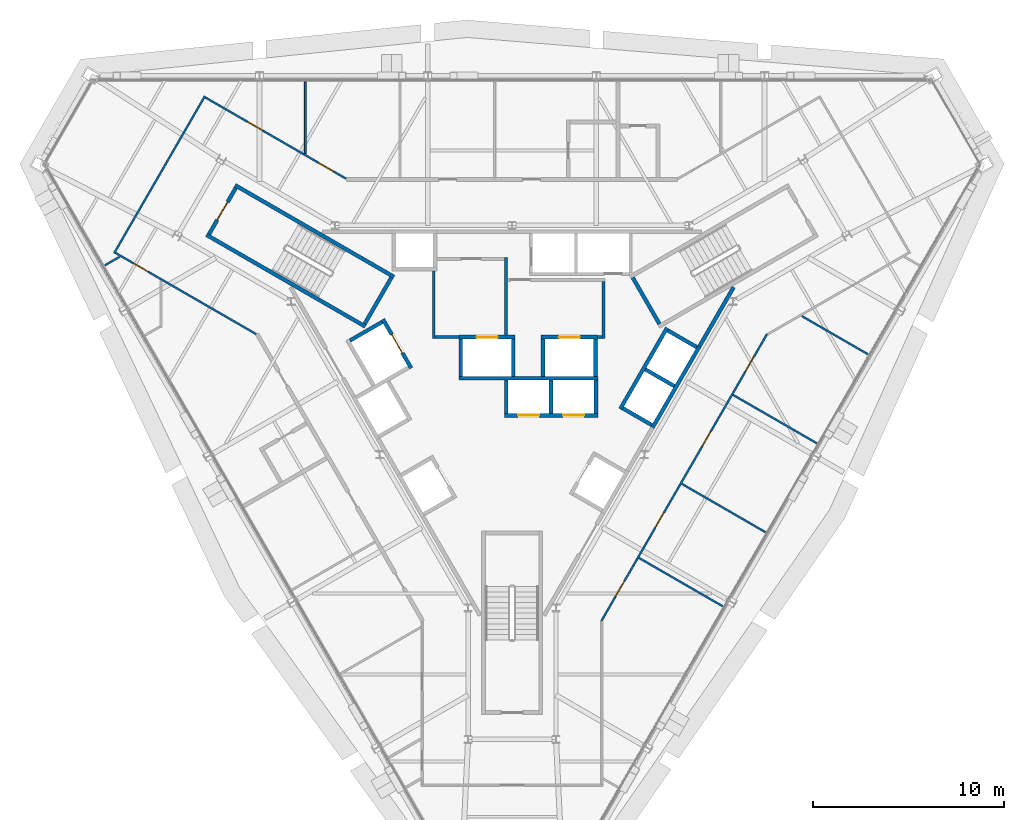
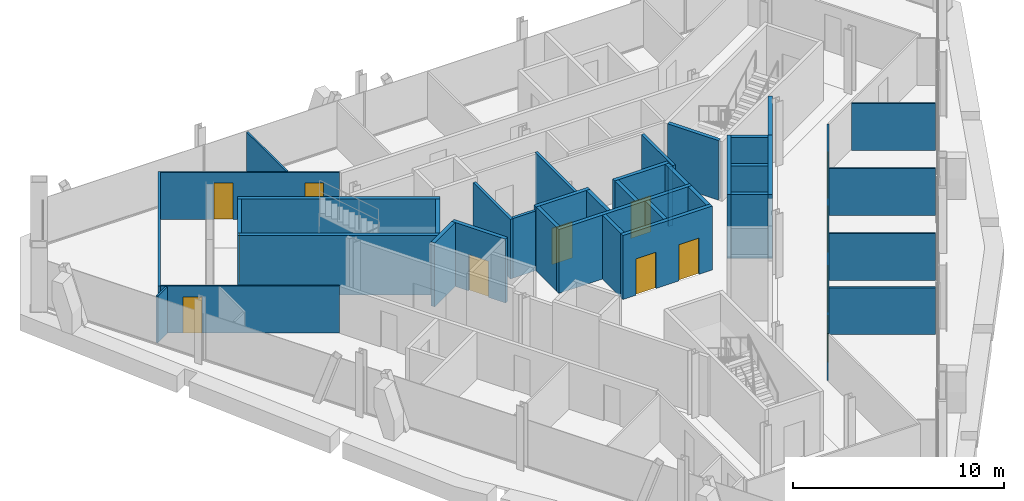
# One storey, part 10 of 14: 39 walls, 13 doors, 13 openings.
"""IFC4 building model written with IfcOpenShell, lengths in metres."""

from ifc_helpers import new_model, si_unit, direction, frame, frame_2d, origin, place, context, subcontext, project, spatial, rectangle, extrude, material, layer, layer_set, type_object, element, fill, save


model = new_model("IFC4")

# Units and contexts
model_context = context("Model", 3, precision=1e-05, world=origin(), true_north=direction((0.0, 1.0)))
body_context = subcontext(model_context, "Body", "Model", "MODEL_VIEW")
ifc_project = project(units=[si_unit("LENGTHUNIT", "METRE"), si_unit("AREAUNIT", "SQUARE_METRE"), si_unit("VOLUMEUNIT", "CUBIC_METRE"), si_unit("PLANEANGLEUNIT", "RADIAN"), si_unit("MASSUNIT", "GRAM", prefix="KILO")], contexts=[model_context])

# Site, building, storey
site_placement = place(None, origin())
site = spatial("IfcSite", under=ifc_project, at=site_placement, CompositionType="ELEMENT")
building_placement = place(site_placement, origin())
building = spatial("IfcBuilding", under=site, at=building_placement, Name="Verrane Prism Tower", CompositionType="ELEMENT")
storey_placement = place(building_placement, frame((0.0, 0.0, 224.89990234375)))
storey = spatial("IfcBuildingStorey", under=building, at=storey_placement, Name="L56", CompositionType="ELEMENT", Elevation=224.89990234375)

# Walls
ifc_material_1 = material(Name="Gypsum board partition", Category="other")
ifc_layer_1 = layer(ifc_material_1, 0.199951171875)
ifc_layer_set_1 = layer_set([ifc_layer_1], Name="CW-200 core boundary wall 2 h")
wall_type_1 = type_object("IfcWallType", Name="CW-200 core boundary wall 2 h", PredefinedType="PARTITIONING", material=ifc_layer_set_1)
wall_1_placement = place(storey_placement, frame((9.802978515625, 1.657958984375, 0.0), z_axis=(0.0, 0.0, 1.0), x_axis=(0.499943114462, 0.866058244174, 0.0)))
element("IfcWall", 1, at=wall_1_placement, inside=storey, type_object=wall_type_1, Name="Core boundary wall CW3-008", PredefinedType="PARTITIONING", context=body_context, shape_type="SweptSolid", body=[
    extrude(rectangle(XDim=3.57568359375, YDim=0.199951171875, at=frame_2d((1.787841796875, 0.0))), origin(), (0.0, 0.0, 1.0), 3.4501953125),
])
ifc_material_2 = material(Name="Concrete C40/50", Category="concrete")
ifc_layer_2 = layer(ifc_material_2, 0.199951171875)
ifc_layer_set_2 = layer_set([ifc_layer_2], Name="CW-200 stair core wall concrete C40/50 3 h")
wall_type_2 = type_object("IfcWallType", Name="CW-200 stair core wall concrete C40/50 3 h", PredefinedType="PARTITIONING", material=ifc_layer_set_2)
wall_2_placement = place(storey_placement, frame((7.71484375, 2.837646484375, 0.0), z_axis=(0.0, 0.0, 1.0), x_axis=(-0.500049511043, 0.865996816683, 0.0)))
element("IfcWall", 2, at=wall_2_placement, inside=storey, type_object=wall_type_2, Name="Stair 1 enclosure wall", PredefinedType="PARTITIONING", context=body_context, shape_type="SweptSolid", body=[
    extrude(rectangle(XDim=2.800048828125, YDim=0.199951171875, at=frame_2d((1.39990234375, 0.0))), origin(), (0.0, 0.0, 1.0), 3.4501953125),
])

# Wall, opening, door
wall_3_placement = place(storey_placement, frame((-14.455322265625, 9.96240234375, 0.0), z_axis=(0.0, 0.0, 1.0), x_axis=(-0.500049511043, -0.865996816683, 0.0)))
wall_3 = element("IfcWall", 3, at=wall_3_placement, inside=storey, type_object=wall_type_2, Name="Stair 2 enclosure wall", PredefinedType="PARTITIONING", context=body_context, shape_type="SweptSolid", body=[
    extrude(rectangle(XDim=2.800048828125, YDim=0.199951171875, at=frame_2d((1.39990234375, 0.0))), origin(), (0.0, 0.0, 1.0), 3.4501953125),
])
opening_1_placement = place(wall_3_placement, frame((0.849853515625, 0.0, 0.0)))
opening_1 = element("IfcOpeningElement", 4, at=opening_1_placement, cuts=wall_3, Name="Opening D54501", PredefinedType="OPENING", context=body_context, shape_type="SweptSolid", body=[
    extrude(rectangle(XDim=1.10009765625, YDim=2.10009765625, at=frame_2d((0.550048828125, 1.050048828125))), frame((0.0, 0.10986328125, 0.0), z_axis=(0.0, -1.0, 0.0), x_axis=(1.0, 0.0, 0.0)), (0.0, 0.0, 1.0), 0.219970703125),
])
ifc_material_3 = material(Name="Timber veneered door leaf", Category="wood")
door_type_1 = type_object("IfcDoorType", Name="DR-1100x2100 FD90 single leaf stair", OperationType="NOTDEFINED", PredefinedType="DOOR", material=ifc_material_3)
door_1_placement = place(opening_1_placement, origin())
door_1 = element("IfcDoor", 5, at=door_1_placement, inside=storey, type_object=door_type_1, Name="Stair 2 door", OperationType="SINGLE_SWING_RIGHT", OverallHeight=2.10009765625, OverallWidth=1.10009765625, PredefinedType="DOOR", context=body_context, shape_type="SweptSolid", body=[
    extrude(rectangle(XDim=1.10009765625, YDim=2.10009765625, at=frame_2d((0.550048828125, 1.050048828125))), frame((0.0, 0.02490234375, 0.0), z_axis=(0.0, -1.0, 0.0), x_axis=(1.0, 0.0, 0.0)), (0.0, 0.0, 1.0), 0.050048828125),
])
fill(opening_1, door_1)

# Walls
for number, where, z_axis, x_axis, name in (
    (6, (-7.67822265625, 2.700927734375, 0.0), (0.0, 0.0, 1.0), (-0.866019993635, 0.500009370536, 0.0), "Stair 2 enclosure wall"),
    (7, (-6.17822265625, 5.299072265625, 0.0), (0.0, 0.0, 1.0), (-0.866019993635, 0.500009370536, 0.0), "Stair 2 enclosure wall"),
):
    element("IfcWall", number, at=place(storey_placement, frame(where, z_axis=z_axis, x_axis=x_axis)), inside=storey, type_object=wall_type_2, Name=name, PredefinedType="PARTITIONING", context=body_context, shape_type="SweptSolid", body=[
        extrude(rectangle(XDim=9.599853515625, YDim=0.199951171875, at=frame_2d((4.7998046875, 0.0))), origin(), (0.0, 0.0, 1.0), 3.4501953125),
    ])
wall_4_placement = place(storey_placement, frame((-6.314697265625, 5.262451171875, 0.0), z_axis=(0.0, 0.0, 1.0), x_axis=(-0.500049511043, -0.865996816683, 0.0)))
element("IfcWall", 8, at=wall_4_placement, inside=storey, type_object=wall_type_2, Name="Stair 2 enclosure wall", PredefinedType="PARTITIONING", context=body_context, shape_type="SweptSolid", body=[
    extrude(rectangle(XDim=2.800048828125, YDim=0.199951171875, at=frame_2d((1.39990234375, 0.0))), origin(), (0.0, 0.0, 1.0), 3.4501953125),
])

# Wall, openings, doors
ifc_material_4 = material(Name="Gypsum board shaft wall assembly", Category="other")
ifc_layer_3 = layer(ifc_material_4, 0.199951171875)
ifc_layer_set_3 = layer_set([ifc_layer_3], Name="HW-200 lift shaft wall 2 h")
wall_type_3 = type_object("IfcWallType", Name="HW-200 lift shaft wall 2 h", PredefinedType="PARTITIONING", material=ifc_layer_set_3)
wall_5_placement = place(storey_placement, frame((-0.405029296875, -1.949951171875, 0.0), z_axis=(0.0, 0.0, 1.0), x_axis=(1.0, 0.0, 0.0)))
wall_5 = element("IfcWall", 9, at=wall_5_placement, inside=storey, type_object=wall_type_3, Name="Lift shaft wall", PredefinedType="PARTITIONING", context=body_context, shape_type="SweptSolid", body=[
    extrude(rectangle(XDim=4.900146484375, YDim=0.199951171875, at=frame_2d((2.4501953125, 0.0))), origin(), (0.0, 0.0, 1.0), 3.7001953125),
])
opening_2_placement = place(wall_5_placement, frame((0.72509765625, 0.0, 0.0)))
opening_2 = element("IfcOpeningElement", 10, at=opening_2_placement, cuts=wall_5, Name="Opening D54503", PredefinedType="OPENING", context=body_context, shape_type="SweptSolid", body=[
    extrude(rectangle(XDim=1.10009765625, YDim=2.10009765625, at=frame_2d((0.550048828125, 1.050048828125))), frame((0.0, 0.10986328125, 0.0), z_axis=(0.0, -1.0, 0.0), x_axis=(1.0, 0.0, 0.0)), (0.0, 0.0, 1.0), 0.219970703125),
])
opening_3_placement = place(wall_5_placement, frame((3.074951171875, 0.0, 0.0)))
opening_3 = element("IfcOpeningElement", 11, at=opening_3_placement, cuts=wall_5, Name="Opening D54504", PredefinedType="OPENING", context=body_context, shape_type="SweptSolid", body=[
    extrude(rectangle(XDim=1.10009765625, YDim=2.10009765625, at=frame_2d((0.550048828125, 1.050048828125))), frame((0.0, 0.10986328125, 0.0), z_axis=(0.0, -1.0, 0.0), x_axis=(1.0, 0.0, 0.0)), (0.0, 0.0, 1.0), 0.219970703125),
])
ifc_material_5 = material(Name="Stainless steel sliding landing door", Category="steel")
door_type_2 = type_object("IfcDoorType", Name="LD-1100x2100 lift landing door FD90 sliding", OperationType="NOTDEFINED", PredefinedType="DOOR", material=ifc_material_5)
door_2_placement = place(opening_2_placement, origin())
door_2 = element("IfcDoor", 12, at=door_2_placement, inside=storey, type_object=door_type_2, Name="Bank B lift 1 landing door", OperationType="SLIDING_TO_LEFT", OverallHeight=2.10009765625, OverallWidth=1.10009765625, PredefinedType="DOOR", context=body_context, shape_type="SweptSolid", body=[
    extrude(rectangle(XDim=1.10009765625, YDim=2.10009765625, at=frame_2d((0.550048828125, 1.050048828125))), frame((0.0, 0.02490234375, 0.0), z_axis=(0.0, -1.0, 0.0), x_axis=(1.0, 0.0, 0.0)), (0.0, 0.0, 1.0), 0.050048828125),
])
fill(opening_2, door_2)
door_3_placement = place(opening_3_placement, origin())
door_3 = element("IfcDoor", 13, at=door_3_placement, inside=storey, type_object=door_type_2, Name="Bank B lift 2 landing door", OperationType="SLIDING_TO_RIGHT", OverallHeight=2.10009765625, OverallWidth=1.10009765625, PredefinedType="DOOR", context=body_context, shape_type="SweptSolid", body=[
    extrude(rectangle(XDim=1.10009765625, YDim=2.10009765625, at=frame_2d((0.550048828125, 1.050048828125))), frame((0.0, 0.02490234375, 0.0), z_axis=(0.0, -1.0, 0.0), x_axis=(1.0, 0.0, 0.0)), (0.0, 0.0, 1.0), 0.050048828125),
])
fill(opening_3, door_3)

# Wall
wall_6_placement = place(storey_placement, frame((-2.784912109375, 0.0, 0.0), z_axis=(0.0, 0.0, 1.0), x_axis=(1.0, 0.0, 0.0)))
element("IfcWall", 14, at=wall_6_placement, inside=storey, type_object=wall_type_3, Name="Lift shaft wall", PredefinedType="PARTITIONING", context=body_context, shape_type="SweptSolid", body=[
    extrude(rectangle(XDim=7.280029296875, YDim=0.199951171875, at=frame_2d((3.64013671875, 0.0))), origin(), (0.0, 0.0, 1.0), 3.7001953125),
])

# Wall, opening, door
wall_7_placement = place(storey_placement, frame((-2.784912109375, 2.14990234375, 0.0), z_axis=(0.0, 0.0, 1.0), x_axis=(1.0, 0.0, 0.0)))
wall_7 = element("IfcWall", 15, at=wall_7_placement, inside=storey, type_object=wall_type_3, Name="Lift shaft wall", PredefinedType="PARTITIONING", context=body_context, shape_type="SweptSolid", body=[
    extrude(rectangle(XDim=2.949951171875, YDim=0.199951171875, at=frame_2d((1.47509765625, 0.0))), origin(), (0.0, 0.0, 1.0), 3.7001953125),
])
opening_4_placement = place(wall_7_placement, frame((0.925048828125, 0.0, 0.0)))
opening_4 = element("IfcOpeningElement", 16, at=opening_4_placement, cuts=wall_7, Name="Opening D54507", PredefinedType="OPENING", context=body_context, shape_type="SweptSolid", body=[
    extrude(rectangle(XDim=1.10009765625, YDim=2.10009765625, at=frame_2d((0.550048828125, 1.050048828125))), frame((0.0, 0.10986328125, 0.0), z_axis=(0.0, -1.0, 0.0), x_axis=(1.0, 0.0, 0.0)), (0.0, 0.0, 1.0), 0.219970703125),
])
door_4_placement = place(opening_4_placement, origin())
door_4 = element("IfcDoor", 17, at=door_4_placement, inside=storey, type_object=door_type_2, Name="Fire service lift 1 landing door", OperationType="SLIDING_TO_LEFT", OverallHeight=2.10009765625, OverallWidth=1.10009765625, PredefinedType="DOOR", context=body_context, shape_type="SweptSolid", body=[
    extrude(rectangle(XDim=1.10009765625, YDim=2.10009765625, at=frame_2d((0.550048828125, 1.050048828125))), frame((0.0, 0.02490234375, 0.0), z_axis=(0.0, -1.0, 0.0), x_axis=(1.0, 0.0, 0.0)), (0.0, 0.0, 1.0), 0.050048828125),
])
fill(opening_4, door_4)

wall_8_placement = place(storey_placement, frame((1.52490234375, 2.14990234375, 0.0), z_axis=(0.0, 0.0, 1.0), x_axis=(1.0, 0.0, 0.0)))
wall_8 = element("IfcWall", 18, at=wall_8_placement, inside=storey, type_object=wall_type_3, Name="Lift shaft wall", PredefinedType="PARTITIONING", context=body_context, shape_type="SweptSolid", body=[
    extrude(rectangle(XDim=2.9501953125, YDim=0.199951171875, at=frame_2d((1.47509765625, 0.0))), origin(), (0.0, 0.0, 1.0), 3.7001953125),
])
opening_5_placement = place(wall_8_placement, frame((0.925048828125, 0.0, 0.0)))
opening_5 = element("IfcOpeningElement", 19, at=opening_5_placement, cuts=wall_8, Name="Opening D54508", PredefinedType="OPENING", context=body_context, shape_type="SweptSolid", body=[
    extrude(rectangle(XDim=1.10009765625, YDim=2.10009765625, at=frame_2d((0.550048828125, 1.050048828125))), frame((0.0, 0.10986328125, 0.0), z_axis=(0.0, -1.0, 0.0), x_axis=(1.0, 0.0, 0.0)), (0.0, 0.0, 1.0), 0.219970703125),
])
door_5_placement = place(opening_5_placement, origin())
door_5 = element("IfcDoor", 20, at=door_5_placement, inside=storey, type_object=door_type_2, Name="Fire service lift 2 landing door", OperationType="SLIDING_TO_RIGHT", OverallHeight=2.10009765625, OverallWidth=1.10009765625, PredefinedType="DOOR", context=body_context, shape_type="SweptSolid", body=[
    extrude(rectangle(XDim=1.10009765625, YDim=2.10009765625, at=frame_2d((0.550048828125, 1.050048828125))), frame((0.0, 0.02490234375, 0.0), z_axis=(0.0, -1.0, 0.0), x_axis=(1.0, 0.0, 0.0)), (0.0, 0.0, 1.0), 0.050048828125),
])
fill(opening_5, door_5)

# Walls
wall_9_placement = place(storey_placement, frame((-8.48046875, 1.968505859375, 0.0), z_axis=(0.0, 0.0, 1.0), x_axis=(0.866000020948, 0.500043961785, 0.0)))
element("IfcWall", 21, at=wall_9_placement, inside=storey, type_object=wall_type_3, Name="Lift shaft wall", PredefinedType="PARTITIONING", context=body_context, shape_type="SweptSolid", body=[
    extrude(rectangle(XDim=1.949951171875, YDim=0.199951171875, at=frame_2d((0.97509765625, 0.0))), origin(), (0.0, 0.0, 1.0), 3.7001953125),
])
wall_10_placement = place(storey_placement, frame((7.351318359375, -2.587158203125, 0.0), z_axis=(0.0, 0.0, 1.0), x_axis=(0.500002801628, 0.866023786258, 0.0)))
element("IfcWall", 22, at=wall_10_placement, inside=storey, type_object=wall_type_3, Name="Lift shaft wall", PredefinedType="PARTITIONING", context=body_context, shape_type="SweptSolid", body=[
    extrude(rectangle(XDim=4.89990234375, YDim=0.199951171875, at=frame_2d((2.449951171875, 0.0))), origin(), (0.0, 0.0, 1.0), 3.7001953125),
])
wall_11_placement = place(storey_placement, frame((5.66259765625, -1.6123046875, 0.0), z_axis=(0.0, 0.0, 1.0), x_axis=(0.49998122708, 0.866036242063, 0.0)))
element("IfcWall", 23, at=wall_11_placement, inside=storey, type_object=wall_type_3, Name="Lift shaft wall", PredefinedType="PARTITIONING", context=body_context, shape_type="SweptSolid", body=[
    extrude(rectangle(XDim=4.900146484375, YDim=0.199951171875, at=frame_2d((2.4501953125, 0.0))), origin(), (0.0, 0.0, 1.0), 3.7001953125),
])
wall_12_placement = place(storey_placement, frame((4.39501953125, -1.85009765625, 0.0), z_axis=(0.0, 0.0, 1.0), x_axis=(0.0, 1.0, 0.0)))
element("IfcWall", 24, at=wall_12_placement, inside=storey, type_object=wall_type_3, Name="Lift shaft wall", PredefinedType="PARTITIONING", context=body_context, shape_type="SweptSolid", body=[
    extrude(rectangle(XDim=1.75, YDim=0.199951171875, at=frame_2d((0.875, 0.0))), origin(), (0.0, 0.0, 1.0), 3.7001953125),
])
wall_13_placement = place(storey_placement, frame((4.375, 0.10009765625, 0.0), z_axis=(0.0, 0.0, 1.0), x_axis=(0.0, 1.0, 0.0)))
element("IfcWall", 25, at=wall_13_placement, inside=storey, type_object=wall_type_3, Name="Lift shaft wall", PredefinedType="PARTITIONING", context=body_context, shape_type="SweptSolid", body=[
    extrude(rectangle(XDim=1.949951171875, YDim=0.199951171875, at=frame_2d((0.97509765625, 0.0))), origin(), (0.0, 0.0, 1.0), 3.7001953125),
])
wall_14_placement = place(storey_placement, frame((2.044921875, -1.85009765625, 0.0), z_axis=(0.0, 0.0, 1.0), x_axis=(0.0, 1.0, 0.0)))
element("IfcWall", 26, at=wall_14_placement, inside=storey, type_object=wall_type_3, Name="Lift shaft wall", PredefinedType="PARTITIONING", context=body_context, shape_type="SweptSolid", body=[
    extrude(rectangle(XDim=1.75, YDim=0.199951171875, at=frame_2d((0.875, 0.0))), origin(), (0.0, 0.0, 1.0), 3.7001953125),
])
for number, where, z_axis, x_axis, name in (
    (27, (1.625, 0.10009765625, 0.0), (0.0, 0.0, 1.0), (0.0, 1.0, 0.0), "Lift shaft wall"),
    (28, (0.06494140625, 0.10009765625, 0.0), (0.0, 0.0, 1.0), (0.0, 1.0, 0.0), "Lift shaft wall"),
):
    element("IfcWall", number, at=place(storey_placement, frame(where, z_axis=z_axis, x_axis=x_axis)), inside=storey, type_object=wall_type_3, Name=name, PredefinedType="PARTITIONING", context=body_context, shape_type="SweptSolid", body=[
        extrude(rectangle(XDim=1.949951171875, YDim=0.199951171875, at=frame_2d((0.97509765625, 0.0))), origin(), (0.0, 0.0, 1.0), 3.7001953125),
    ])
wall_15_placement = place(storey_placement, frame((-0.304931640625, -1.85009765625, 0.0), z_axis=(0.0, 0.0, 1.0), x_axis=(0.0, 1.0, 0.0)))
element("IfcWall", 29, at=wall_15_placement, inside=storey, type_object=wall_type_3, Name="Lift shaft wall", PredefinedType="PARTITIONING", context=body_context, shape_type="SweptSolid", body=[
    extrude(rectangle(XDim=1.75, YDim=0.199951171875, at=frame_2d((0.875, 0.0))), origin(), (0.0, 0.0, 1.0), 3.7001953125),
])
wall_16_placement = place(storey_placement, frame((-2.68505859375, 0.10009765625, 0.0), z_axis=(0.0, 0.0, 1.0), x_axis=(0.0, 1.0, 0.0)))
element("IfcWall", 30, at=wall_16_placement, inside=storey, type_object=wall_type_3, Name="Lift shaft wall", PredefinedType="PARTITIONING", context=body_context, shape_type="SweptSolid", body=[
    extrude(rectangle(XDim=1.949951171875, YDim=0.199951171875, at=frame_2d((0.97509765625, 0.0))), origin(), (0.0, 0.0, 1.0), 3.7001953125),
])

# Wall, opening, door
wall_17_placement = place(storey_placement, frame((-5.280029296875, 0.525390625, 0.0), z_axis=(0.0, 0.0, 1.0), x_axis=(-0.500037662692, 0.866003658127, 0.0)))
wall_17 = element("IfcWall", 31, at=wall_17_placement, inside=storey, type_object=wall_type_3, Name="Lift shaft wall", PredefinedType="PARTITIONING", context=body_context, shape_type="SweptSolid", body=[
    extrude(rectangle(XDim=2.949951171875, YDim=0.199951171875, at=frame_2d((1.47509765625, 0.0))), origin(), (0.0, 0.0, 1.0), 3.7001953125),
])
opening_6_placement = place(wall_17_placement, frame((0.925048828125, 0.0, 0.0)))
opening_6 = element("IfcOpeningElement", 32, at=opening_6_placement, cuts=wall_17, Name="Opening D54509", PredefinedType="OPENING", context=body_context, shape_type="SweptSolid", body=[
    extrude(rectangle(XDim=1.10009765625, YDim=2.10009765625, at=frame_2d((0.550048828125, 1.050048828125))), frame((0.0, 0.10986328125, 0.0), z_axis=(0.0, -1.0, 0.0), x_axis=(1.0, 0.0, 0.0)), (0.0, 0.0, 1.0), 0.219970703125),
])
door_6_placement = place(opening_6_placement, origin())
door_6 = element("IfcDoor", 33, at=door_6_placement, inside=storey, type_object=door_type_2, Name="Service lift 1 landing door", OperationType="SLIDING_TO_LEFT", OverallHeight=2.10009765625, OverallWidth=1.10009765625, PredefinedType="DOOR", context=body_context, shape_type="SweptSolid", body=[
    extrude(rectangle(XDim=1.10009765625, YDim=2.10009765625, at=frame_2d((0.550048828125, 1.050048828125))), frame((0.0, 0.02490234375, 0.0), z_axis=(0.0, -1.0, 0.0), x_axis=(1.0, 0.0, 0.0)), (0.0, 0.0, 1.0), 0.050048828125),
])
fill(opening_6, door_6)

# Walls
wall_18_placement = place(storey_placement, frame((9.66455078125, 1.61962890625, 0.0), z_axis=(0.0, 0.0, 1.0), x_axis=(-0.866002029911, 0.500040482552, 0.0)))
element("IfcWall", 34, at=wall_18_placement, inside=storey, type_object=wall_type_3, Name="Lift shaft wall", PredefinedType="PARTITIONING", context=body_context, shape_type="SweptSolid", body=[
    extrude(rectangle(XDim=1.749755859375, YDim=0.199951171875, at=frame_2d((0.875, 0.0))), origin(), (0.0, 0.0, 1.0), 3.7001953125),
])
for number, where, z_axis, x_axis, name in (
    (35, (8.48974609375, -0.41552734375, 0.0), (0.0, 0.0, 1.0), (-0.866036909293, 0.499980071345, 0.0), "Lift shaft wall"),
    (36, (7.314697265625, -2.45068359375, 0.0), (0.0, 0.0, 1.0), (-0.866036909293, 0.499980071345, 0.0), "Lift shaft wall"),
):
    element("IfcWall", number, at=place(storey_placement, frame(where, z_axis=z_axis, x_axis=x_axis)), inside=storey, type_object=wall_type_3, Name=name, PredefinedType="PARTITIONING", context=body_context, shape_type="SweptSolid", body=[
        extrude(rectangle(XDim=1.75, YDim=0.199951171875, at=frame_2d((0.875, 0.0))), origin(), (0.0, 0.0, 1.0), 3.7001953125),
    ])
ifc_material_6 = material(Name="Gypsum board partition", Category="other")
ifc_layer_4 = layer(ifc_material_6, 0.14990234375)
ifc_layer_set_4 = layer_set([ifc_layer_4], Name="LF-150 firefighting lobby wall 1 h")
wall_type_4 = type_object("IfcWallType", Name="LF-150 firefighting lobby wall 1 h", PredefinedType="PARTITIONING", material=ifc_layer_set_4)
wall_19_placement = place(storey_placement, frame((-4.10009765625, 2.0849609375, 0.0), z_axis=(0.0, 0.0, 1.0), x_axis=(0.0, 1.0, 0.0)))
element("IfcWall", 37, at=wall_19_placement, inside=storey, type_object=wall_type_4, Name="Firefighting lobby wall LF1-001", PredefinedType="PARTITIONING", context=body_context, shape_type="SweptSolid", body=[
    extrude(rectangle(XDim=3.52294921875, YDim=0.14990234375, at=frame_2d((1.761474609375, 0.0))), origin(), (0.0, 0.0, 1.0), 3.4501953125),
])
wall_20_placement = place(storey_placement, frame((-4.02490234375, 2.159912109375, 0.0), z_axis=(0.0, 0.0, 1.0), x_axis=(1.0, 0.0, 0.0)))
element("IfcWall", 38, at=wall_20_placement, inside=storey, type_object=wall_type_4, Name="Firefighting lobby wall LF1-002", PredefinedType="PARTITIONING", context=body_context, shape_type="SweptSolid", body=[
    extrude(rectangle(XDim=1.23779296875, YDim=0.14990234375, at=frame_2d((0.618896484375, 0.0))), origin(), (0.0, 0.0, 1.0), 3.4501953125),
])
wall_21_placement = place(storey_placement, frame((-0.320068359375, 2.251953125, 0.0), z_axis=(0.0, 0.0, 1.0), x_axis=(0.0, 1.0, 0.0)))
element("IfcWall", 39, at=wall_21_placement, inside=storey, type_object=wall_type_4, Name="Firefighting lobby wall LF1-004", PredefinedType="PARTITIONING", context=body_context, shape_type="SweptSolid", body=[
    extrude(rectangle(XDim=4.06298828125, YDim=0.14990234375, at=frame_2d((2.031494140625, 0.0))), origin(), (0.0, 0.0, 1.0), 3.4501953125),
])
wall_22_placement = place(storey_placement, frame((4.47705078125, 2.159912109375, 0.0), z_axis=(0.0, 0.0, 1.0), x_axis=(1.0, 0.0, 0.0)))
element("IfcWall", 40, at=wall_22_placement, inside=storey, type_object=wall_type_4, Name="Firefighting lobby wall LF1-006", PredefinedType="PARTITIONING", context=body_context, shape_type="SweptSolid", body=[
    extrude(rectangle(XDim=0.238037109375, YDim=0.14990234375, at=frame_2d((0.119140625, 0.0))), origin(), (0.0, 0.0, 1.0), 3.4501953125),
])
wall_23_placement = place(storey_placement, frame((4.7900390625, 2.0849609375, 0.0), z_axis=(0.0, 0.0, 1.0), x_axis=(0.0, 1.0, 0.0)))
element("IfcWall", 41, at=wall_23_placement, inside=storey, type_object=wall_type_4, Name="Firefighting lobby wall LF1-007", PredefinedType="PARTITIONING", context=body_context, shape_type="SweptSolid", body=[
    extrude(rectangle(XDim=2.97998046875, YDim=0.14990234375, at=frame_2d((1.489990234375, 0.0))), origin(), (0.0, 0.0, 1.0), 3.4501953125),
])
ifc_material_7 = material(Name="Gypsum board partition", Category="other")
ifc_layer_5 = layer(ifc_material_7, 0.10009765625)
ifc_layer_set_5 = layer_set([ifc_layer_5], Name="PW-100 room partition")
wall_type_5 = type_object("IfcWallType", Name="PW-100 room partition", PredefinedType="PARTITIONING", material=ifc_layer_set_5)
wall_24_placement = place(storey_placement, frame((-21.312744140625, 5.903076171875, 0.0), z_axis=(0.0, 0.0, 1.0), x_axis=(0.865952303503, 0.500126592033, 0.0)))
element("IfcWall", 42, at=wall_24_placement, inside=storey, type_object=wall_type_5, Name="Room partition 001", PredefinedType="PARTITIONING", context=body_context, shape_type="SweptSolid", body=[
    extrude(rectangle(XDim=0.888916015625, YDim=0.10009765625, at=frame_2d((0.4443359375, 0.0))), origin(), (0.0, 0.0, 1.0), 2.713134765625),
])
wall_25_placement = place(storey_placement, frame((-20.823974609375, 6.538818359375, 0.0), z_axis=(0.0, 0.0, 1.0), x_axis=(0.500297300687, 0.865853689098, 0.0)))
element("IfcWall", 43, at=wall_25_placement, inside=storey, type_object=wall_type_5, Name="Room partition 002", PredefinedType="PARTITIONING", context=body_context, shape_type="SweptSolid", body=[
    extrude(rectangle(XDim=9.496337890625, YDim=0.10009765625, at=frame_2d((4.748046875, 0.0))), origin(), (0.0, 0.0, 1.0), 2.713134765625),
])

# Wall, opening, door
wall_26_placement = place(storey_placement, frame((-13.390625, 2.305419921875, 0.0), z_axis=(0.0, 0.0, 1.0), x_axis=(-0.86606177021, 0.499937006213, 0.0)))
wall_26 = element("IfcWall", 44, at=wall_26_placement, inside=storey, type_object=wall_type_5, Name="Room partition 003", PredefinedType="PARTITIONING", context=body_context, shape_type="SweptSolid", body=[
    extrude(rectangle(XDim=8.50390625, YDim=0.10009765625, at=frame_2d((4.251953125, 0.0))), origin(), (0.0, 0.0, 1.0), 2.713134765625),
])
opening_7_placement = place(wall_26_placement, frame((6.522216796875, 0.0, 0.0)))
opening_7 = element("IfcOpeningElement", 45, at=opening_7_placement, cuts=wall_26, Name="Opening D54014", PredefinedType="OPENING", context=body_context, shape_type="SweptSolid", body=[
    extrude(rectangle(XDim=0.89990234375, YDim=2.10009765625, at=frame_2d((0.449951171875, 1.050048828125))), frame((0.0, 0.06005859375, 0.0), z_axis=(0.0, -1.0, 0.0), x_axis=(1.0, 0.0, 0.0)), (0.0, 0.0, 1.0), 0.1201171875),
])
ifc_material_8 = material(Name="Timber veneered door leaf", Category="wood")
door_type_3 = type_object("IfcDoorType", Name="DR-900x2100 single leaf unit", OperationType="NOTDEFINED", PredefinedType="DOOR", material=ifc_material_8)
door_7_placement = place(opening_7_placement, origin())
door_7 = element("IfcDoor", 46, at=door_7_placement, inside=storey, type_object=door_type_3, Name="Kitchen door", OperationType="SINGLE_SWING_LEFT", OverallHeight=2.10009765625, OverallWidth=0.89990234375, PredefinedType="DOOR", context=body_context, shape_type="SweptSolid", body=[
    extrude(rectangle(XDim=0.89990234375, YDim=2.10009765625, at=frame_2d((0.449951171875, 1.050048828125))), frame((0.0, 0.02490234375, 0.0), z_axis=(0.0, -1.0, 0.0), x_axis=(1.0, 0.0, 0.0)), (0.0, 0.0, 1.0), 0.050048828125),
])
fill(opening_7, door_7)

# Wall, openings, doors
wall_27_placement = place(storey_placement, frame((-16.0546875, 14.693115234375, 0.0), z_axis=(0.0, 0.0, 1.0), x_axis=(0.866070360466, -0.499922124658, 0.0)))
wall_27 = element("IfcWall", 47, at=wall_27_placement, inside=storey, type_object=wall_type_5, Name="Room partition 006", PredefinedType="PARTITIONING", context=body_context, shape_type="SweptSolid", body=[
    extrude(rectangle(XDim=8.502685546875, YDim=0.10009765625, at=frame_2d((4.25146484375, 0.0))), origin(), (0.0, 0.0, 1.0), 2.713134765625),
])
opening_8_placement = place(wall_27_placement, frame((6.846923828125, 0.0, 0.0)))
opening_8 = element("IfcOpeningElement", 48, at=opening_8_placement, cuts=wall_27, Name="Opening D54012", PredefinedType="OPENING", context=body_context, shape_type="SweptSolid", body=[
    extrude(rectangle(XDim=0.89990234375, YDim=2.10009765625, at=frame_2d((0.449951171875, 1.050048828125))), frame((0.0, 0.06005859375, 0.0), z_axis=(0.0, -1.0, 0.0), x_axis=(1.0, 0.0, 0.0)), (0.0, 0.0, 1.0), 0.1201171875),
])
opening_9_placement = place(wall_27_placement, frame((2.550048828125, 0.0, 0.0)))
opening_9 = element("IfcOpeningElement", 49, at=opening_9_placement, cuts=wall_27, Name="Opening D54013", PredefinedType="OPENING", context=body_context, shape_type="SweptSolid", body=[
    extrude(rectangle(XDim=0.89990234375, YDim=2.10009765625, at=frame_2d((0.449951171875, 1.050048828125))), frame((0.0, 0.06005859375, 0.0), z_axis=(0.0, -1.0, 0.0), x_axis=(1.0, 0.0, 0.0)), (0.0, 0.0, 1.0), 0.1201171875),
])
door_8_placement = place(opening_8_placement, origin())
door_8 = element("IfcDoor", 50, at=door_8_placement, inside=storey, type_object=door_type_3, Name="Utility Room door", OperationType="SINGLE_SWING_RIGHT", OverallHeight=2.10009765625, OverallWidth=0.89990234375, PredefinedType="DOOR", context=body_context, shape_type="SweptSolid", body=[
    extrude(rectangle(XDim=0.89990234375, YDim=2.10009765625, at=frame_2d((0.449951171875, 1.050048828125))), frame((0.0, 0.02490234375, 0.0), z_axis=(0.0, -1.0, 0.0), x_axis=(1.0, 0.0, 0.0)), (0.0, 0.0, 1.0), 0.050048828125),
])
fill(opening_8, door_8)
door_9_placement = place(opening_9_placement, origin())
door_9 = element("IfcDoor", 51, at=door_9_placement, inside=storey, type_object=door_type_3, Name="Utility Room door", OperationType="SINGLE_SWING_LEFT", OverallHeight=2.10009765625, OverallWidth=0.89990234375, PredefinedType="DOOR", context=body_context, shape_type="SweptSolid", body=[
    extrude(rectangle(XDim=0.89990234375, YDim=2.10009765625, at=frame_2d((0.449951171875, 1.050048828125))), frame((0.0, 0.02490234375, 0.0), z_axis=(0.0, -1.0, 0.0), x_axis=(1.0, 0.0, 0.0)), (0.0, 0.0, 1.0), 0.050048828125),
])
fill(opening_9, door_9)

# Wall
wall_28_placement = place(storey_placement, frame((-10.818115234375, 11.756591796875, 0.0), z_axis=(0.0, 0.0, 1.0), x_axis=(0.0, 1.0, 0.0)))
element("IfcWall", 52, at=wall_28_placement, inside=storey, type_object=wall_type_5, Name="Room partition 012", PredefinedType="PARTITIONING", context=body_context, shape_type="SweptSolid", body=[
    extrude(rectangle(XDim=3.74951171875, YDim=0.10009765625, at=frame_2d((1.874755859375, 0.0))), origin(), (0.0, 0.0, 1.0), 2.713134765625),
])

# Wall, openings, doors
wall_29_placement = place(storey_placement, frame((13.342041015625, 2.306396484375, 0.0), z_axis=(0.0, 0.0, 1.0), x_axis=(-0.49997440863, -0.866040178465, 0.0)))
wall_29 = element("IfcWall", 53, at=wall_29_placement, inside=storey, type_object=wall_type_5, Name="Room partition 027", PredefinedType="PARTITIONING", context=body_context, shape_type="SweptSolid", body=[
    extrude(rectangle(XDim=17.3349609375, YDim=0.10009765625, at=frame_2d((8.66748046875, 0.0))), origin(), (0.0, 0.0, 1.0), 2.713134765625),
])
opening_10_placement = place(wall_29_placement, frame((14.934814453125, 0.0, 0.0)))
opening_10 = element("IfcOpeningElement", 54, at=opening_10_placement, cuts=wall_29, Name="Opening D54001", PredefinedType="OPENING", context=body_context, shape_type="SweptSolid", body=[
    extrude(rectangle(XDim=0.89990234375, YDim=2.10009765625, at=frame_2d((0.449951171875, 1.050048828125))), frame((0.0, 0.06005859375, 0.0), z_axis=(0.0, -1.0, 0.0), x_axis=(1.0, 0.0, 0.0)), (0.0, 0.0, 1.0), 0.1201171875),
])
opening_11_placement = place(wall_29_placement, frame((10.793701171875, 0.0, 0.0)))
opening_11 = element("IfcOpeningElement", 55, at=opening_11_placement, cuts=wall_29, Name="Opening D54002", PredefinedType="OPENING", context=body_context, shape_type="SweptSolid", body=[
    extrude(rectangle(XDim=0.89990234375, YDim=2.10009765625, at=frame_2d((0.449951171875, 1.050048828125))), frame((0.0, 0.06005859375, 0.0), z_axis=(0.0, -1.0, 0.0), x_axis=(1.0, 0.0, 0.0)), (0.0, 0.0, 1.0), 0.1201171875),
])
opening_12_placement = place(wall_29_placement, frame((5.86572265625, 0.0, 0.0)))
opening_12 = element("IfcOpeningElement", 56, at=opening_12_placement, cuts=wall_29, Name="Opening D54003", PredefinedType="OPENING", context=body_context, shape_type="SweptSolid", body=[
    extrude(rectangle(XDim=0.89990234375, YDim=2.10009765625, at=frame_2d((0.449951171875, 1.050048828125))), frame((0.0, 0.06005859375, 0.0), z_axis=(0.0, -1.0, 0.0), x_axis=(1.0, 0.0, 0.0)), (0.0, 0.0, 1.0), 0.1201171875),
])
opening_13_placement = place(wall_29_placement, frame((1.394775390625, 0.0, 0.0)))
opening_13 = element("IfcOpeningElement", 57, at=opening_13_placement, cuts=wall_29, Name="Opening D54004", PredefinedType="OPENING", context=body_context, shape_type="SweptSolid", body=[
    extrude(rectangle(XDim=0.89990234375, YDim=2.10009765625, at=frame_2d((0.449951171875, 1.050048828125))), frame((0.0, 0.06005859375, 0.0), z_axis=(0.0, -1.0, 0.0), x_axis=(1.0, 0.0, 0.0)), (0.0, 0.0, 1.0), 0.1201171875),
])
door_10_placement = place(opening_10_placement, origin())
door_10 = element("IfcDoor", 58, at=door_10_placement, inside=storey, type_object=door_type_3, Name="Study door", OperationType="SINGLE_SWING_RIGHT", OverallHeight=2.10009765625, OverallWidth=0.89990234375, PredefinedType="DOOR", context=body_context, shape_type="SweptSolid", body=[
    extrude(rectangle(XDim=0.89990234375, YDim=2.10009765625, at=frame_2d((0.449951171875, 1.050048828125))), frame((0.0, 0.02490234375, 0.0), z_axis=(0.0, -1.0, 0.0), x_axis=(1.0, 0.0, 0.0)), (0.0, 0.0, 1.0), 0.050048828125),
])
fill(opening_10, door_10)
door_11_placement = place(opening_11_placement, origin())
door_11 = element("IfcDoor", 59, at=door_11_placement, inside=storey, type_object=door_type_3, Name="Kitchen door", OperationType="SINGLE_SWING_LEFT", OverallHeight=2.10009765625, OverallWidth=0.89990234375, PredefinedType="DOOR", context=body_context, shape_type="SweptSolid", body=[
    extrude(rectangle(XDim=0.89990234375, YDim=2.10009765625, at=frame_2d((0.449951171875, 1.050048828125))), frame((0.0, 0.02490234375, 0.0), z_axis=(0.0, -1.0, 0.0), x_axis=(1.0, 0.0, 0.0)), (0.0, 0.0, 1.0), 0.050048828125),
])
fill(opening_11, door_11)
door_12_placement = place(opening_12_placement, origin())
door_12 = element("IfcDoor", 60, at=door_12_placement, inside=storey, type_object=door_type_3, Name="Study door", OperationType="SINGLE_SWING_RIGHT", OverallHeight=2.10009765625, OverallWidth=0.89990234375, PredefinedType="DOOR", context=body_context, shape_type="SweptSolid", body=[
    extrude(rectangle(XDim=0.89990234375, YDim=2.10009765625, at=frame_2d((0.449951171875, 1.050048828125))), frame((0.0, 0.02490234375, 0.0), z_axis=(0.0, -1.0, 0.0), x_axis=(1.0, 0.0, 0.0)), (0.0, 0.0, 1.0), 0.050048828125),
])
fill(opening_12, door_12)
door_13_placement = place(opening_13_placement, origin())
door_13 = element("IfcDoor", 61, at=door_13_placement, inside=storey, type_object=door_type_3, Name="Study door", OperationType="SINGLE_SWING_LEFT", OverallHeight=2.10009765625, OverallWidth=0.89990234375, PredefinedType="DOOR", context=body_context, shape_type="SweptSolid", body=[
    extrude(rectangle(XDim=0.89990234375, YDim=2.10009765625, at=frame_2d((0.449951171875, 1.050048828125))), frame((0.0, 0.02490234375, 0.0), z_axis=(0.0, -1.0, 0.0), x_axis=(1.0, 0.0, 0.0)), (0.0, 0.0, 1.0), 0.050048828125),
])
fill(opening_13, door_13)

# Walls
for number, where, z_axis, x_axis, name in (
    (62, (6.642578125, -9.407470703125, 0.0), (0.0, 0.0, 1.0), (0.866056765328, -0.499945676278, 0.0), "Room partition 030"),
    (63, (8.881591796875, -5.529541015625, 0.0), (0.0, 0.0, 1.0), (0.865915800513, -0.500189790402, 0.0), "Room partition 033"),
):
    element("IfcWall", number, at=place(storey_placement, frame(where, z_axis=z_axis, x_axis=x_axis)), inside=storey, type_object=wall_type_5, Name=name, PredefinedType="PARTITIONING", context=body_context, shape_type="SweptSolid", body=[
        extrude(rectangle(XDim=5.04931640625, YDim=0.10009765625, at=frame_2d((2.524658203125, 0.0))), origin(), (0.0, 0.0, 1.0), 2.713134765625),
    ])
wall_30_placement = place(storey_placement, frame((11.563232421875, -0.875, 0.0), z_axis=(0.0, 0.0, 1.0), x_axis=(0.866052865344, -0.499952432166, 0.0)))
element("IfcWall", 64, at=wall_30_placement, inside=storey, type_object=wall_type_5, Name="Room partition 035", PredefinedType="PARTITIONING", context=body_context, shape_type="SweptSolid", body=[
    extrude(rectangle(XDim=5.05419921875, YDim=0.10009765625, at=frame_2d((2.527099609375, 0.0))), origin(), (0.0, 0.0, 1.0), 2.713134765625),
])
wall_31_placement = place(storey_placement, frame((15.169921875, 3.24560546875, 0.0), z_axis=(0.0, 0.0, 1.0), x_axis=(0.866149939141, -0.499784236372, 0.0)))
element("IfcWall", 65, at=wall_31_placement, inside=storey, type_object=wall_type_5, Name="Room partition 037", PredefinedType="PARTITIONING", context=body_context, shape_type="SweptSolid", body=[
    extrude(rectangle(XDim=3.990966796875, YDim=0.10009765625, at=frame_2d((1.99560546875, 0.0))), origin(), (0.0, 0.0, 1.0), 2.713134765625),
])

save(model, "model.ifc")
